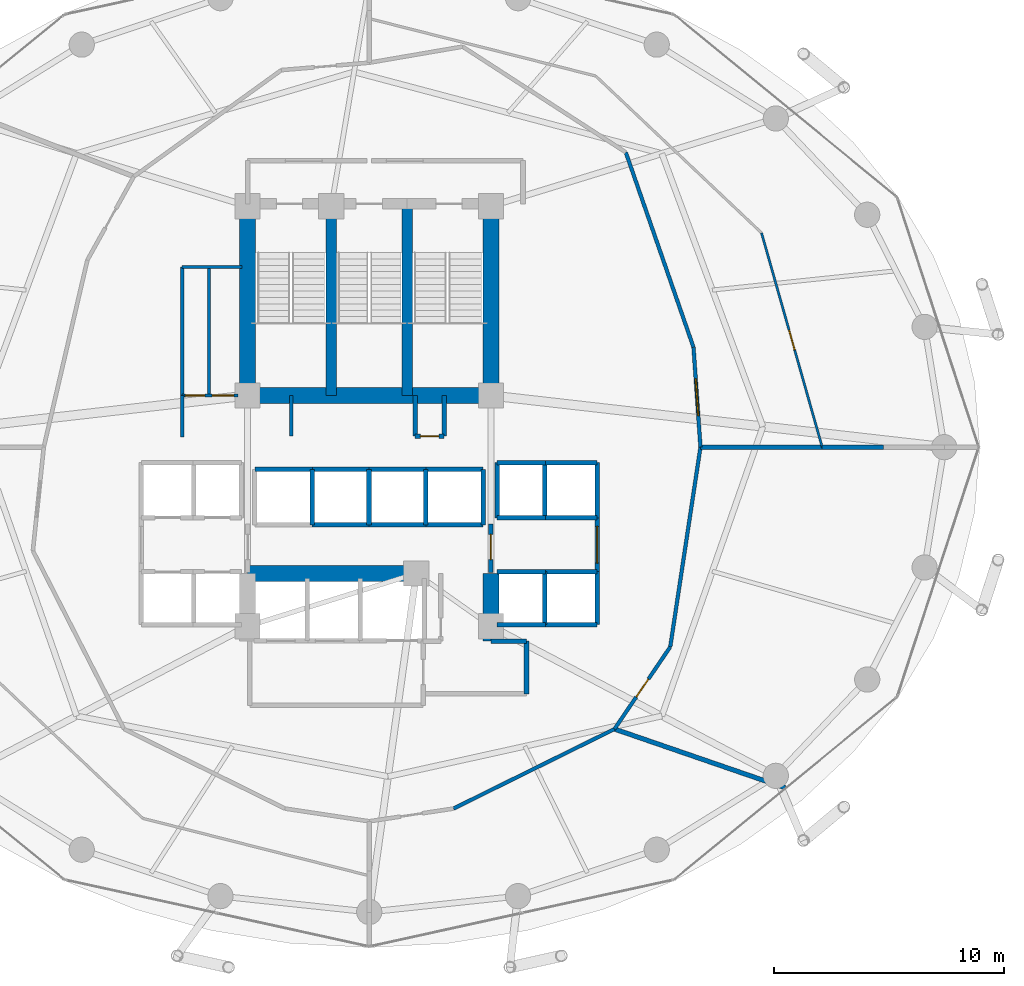
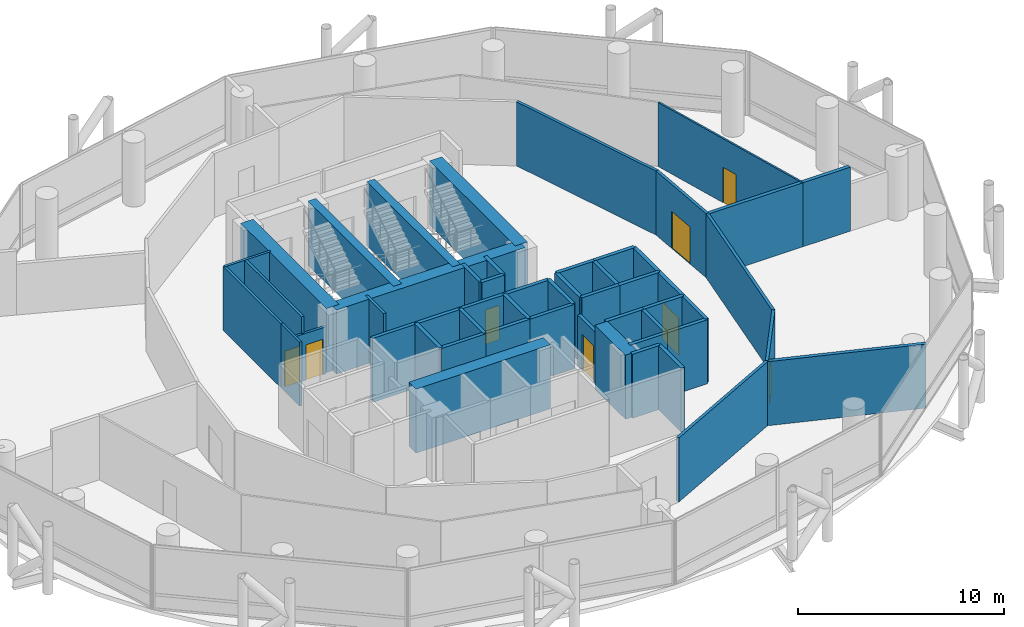
# One storey, part 22 of 24: 53 walls, 8 doors, 8 openings.
"""IFC4 building model written with IfcOpenShell, lengths in metres."""

from ifc_helpers import new_model, si_unit, direction, frame, frame_2d, origin, place, context, subcontext, project, spatial, rectangle, extrude, material, layer, layer_set, type_object, element, fill, save


model = new_model("IFC4")

# Units and contexts
model_context = context("Model", 3, precision=1e-05, world=origin(), true_north=direction((0.0, 1.0)))
body_context = subcontext(model_context, "Body", "Model", "MODEL_VIEW")
ifc_project = project(units=[si_unit("LENGTHUNIT", "METRE"), si_unit("AREAUNIT", "SQUARE_METRE"), si_unit("VOLUMEUNIT", "CUBIC_METRE"), si_unit("PLANEANGLEUNIT", "RADIAN"), si_unit("MASSUNIT", "GRAM", prefix="KILO")], contexts=[model_context])

# Site, building, storey
site_placement = place(None, origin())
site = spatial("IfcSite", under=ifc_project, at=site_placement, CompositionType="ELEMENT")
building_placement = place(site_placement, origin())
building = spatial("IfcBuilding", under=site, at=building_placement, Name="Nuhasar Tower", CompositionType="ELEMENT")
storey_placement = place(building_placement, frame((0.0, 0.0, 77.699951171875)))
storey = spatial("IfcBuildingStorey", under=building, at=storey_placement, Name="L18", CompositionType="ELEMENT", Elevation=77.699951171875)

# Walls
ifc_material_1 = material(Name="Concrete C50/60", Category="concrete")
ifc_layer_1 = layer(ifc_material_1, 0.449951171875)
ifc_layer_set_1 = layer_set([ifc_layer_1], Name="Concrete C50/60")
wall_type_1 = type_object("IfcWallType", Name="WL-CORE-450", PredefinedType="SHEAR", material=ifc_layer_set_1)
for number, where, z_axis, x_axis, name in (
    (1, (37.35009765625, 29.050048828125, 0.0), (0.0, 0.0, 1.0), (0.0, 1.0, 0.0), "L18 Stairwell Shear Wall ST01-E"),
    (2, (40.64990234375, 29.050048828125, 0.0), (0.0, 0.0, 1.0), (0.0, 1.0, 0.0), "L18 Stairwell Shear Wall ST03-E"),
):
    element("IfcWall", number, at=place(storey_placement, frame(where, z_axis=z_axis, x_axis=x_axis)), inside=storey, type_object=wall_type_1, Name=name, PredefinedType="SHEAR", context=body_context, shape_type="SweptSolid", body=[
        extrude(rectangle(XDim=8.349853515625, YDim=0.449951171875, at=frame_2d((4.1748046875, 0.0))), origin(), (0.0, 0.0, 1.0), 3.800048828125),
    ])
ifc_material_2 = material(Name="Concrete C65/80", Category="concrete")
ifc_layer_2 = layer(ifc_material_2, 0.699951171875)
ifc_layer_set_2 = layer_set([ifc_layer_2], Name="Concrete C65/80")
wall_type_2 = type_object("IfcWallType", Name="WL-CORE-700", PredefinedType="SHEAR", material=ifc_layer_set_2)
for number, where, z_axis, x_axis, name in (
    (3, (33.699951171875, 29.050048828125, 0.0), (0.0, 0.0, 1.0), (0.0, 1.0, 0.0), "L18 Core Shear Wall CW-NW CW-700"),
    (4, (44.300048828125, 29.050048828125, 0.0), (0.0, 0.0, 1.0), (0.0, 1.0, 0.0), "L18 Core Shear Wall CW-NE CW-700"),
):
    element("IfcWall", number, at=place(storey_placement, frame(where, z_axis=z_axis, x_axis=x_axis)), inside=storey, type_object=wall_type_2, Name=name, PredefinedType="SHEAR", context=body_context, shape_type="SweptSolid", body=[
        extrude(rectangle(XDim=8.349853515625, YDim=0.699951171875, at=frame_2d((4.1748046875, 0.0))), origin(), (0.0, 0.0, 1.0), 3.800048828125),
    ])
wall_1_placement = place(storey_placement, frame((44.300048828125, 18.35009765625, 0.0), z_axis=(0.0, 0.0, 1.0), x_axis=(0.0, 1.0, 0.0)))
element("IfcWall", 5, at=wall_1_placement, inside=storey, type_object=wall_type_2, Name="L18 Core Shear Wall CW-SE CW-700", PredefinedType="SHEAR", context=body_context, shape_type="SweptSolid", body=[
    extrude(rectangle(XDim=2.949951171875, YDim=0.699951171875, at=frame_2d((1.47509765625, 0.0))), origin(), (0.0, 0.0, 1.0), 3.800048828125),
])
wall_2_placement = place(storey_placement, frame((33.699951171875, 29.050048828125, 0.0), z_axis=(0.0, 0.0, 1.0), x_axis=(1.0, 0.0, 0.0)))
element("IfcWall", 6, at=wall_2_placement, inside=storey, type_object=wall_type_2, Name="L18 Core Shear Wall CW-N1 CW-700", PredefinedType="SHEAR", context=body_context, shape_type="SweptSolid", body=[
    extrude(rectangle(XDim=10.60009765625, YDim=0.699951171875, at=frame_2d((5.300048828125, 0.0))), origin(), (0.0, 0.0, 1.0), 3.800048828125),
])
wall_3_placement = place(storey_placement, frame((33.699951171875, 21.300048828125, 0.0), z_axis=(0.0, 0.0, 1.0), x_axis=(1.0, 0.0, 0.0)))
element("IfcWall", 7, at=wall_3_placement, inside=storey, type_object=wall_type_2, Name="L18 Core Shear Wall CW-S1 CW-700", PredefinedType="SHEAR", context=body_context, shape_type="SweptSolid", body=[
    extrude(rectangle(XDim=7.550048828125, YDim=0.699951171875, at=frame_2d((3.77490234375, 0.0))), origin(), (0.0, 0.0, 1.0), 3.800048828125),
])

# Wall, opening, door
ifc_material_3 = material(Name="Gypsum Board", Category="gypsum")
ifc_layer_3 = layer(ifc_material_3, 0.159912109375)
ifc_layer_set_3 = layer_set([ifc_layer_3], Name="Gypsum Board")
wall_type_3 = type_object("IfcWallType", Name="WL-CORR-160", PredefinedType="PARTITIONING", material=ifc_layer_set_3)
wall_4_placement = place(storey_placement, frame((53.126953125, 31.15087890625, 0.0), z_axis=(0.0, 0.0, 1.0), x_axis=(0.06946871143, -0.997584130854, 0.0)))
wall_4 = element("IfcWall", 8, at=wall_4_placement, inside=storey, type_object=wall_type_3, Name="L18 Interior Partition CORR-00", PredefinedType="PARTITIONING", context=body_context, shape_type="SweptSolid", body=[
    extrude(rectangle(XDim=4.361328125, YDim=0.159912109375, at=frame_2d((2.1806640625, 0.0))), origin(), (0.0, 0.0, 1.0), 3.800048828125),
])
opening_1_placement = place(wall_4_placement, frame((1.381103515625, 0.0, 0.0)))
opening_1 = element("IfcOpeningElement", 9, at=opening_1_placement, cuts=wall_4, Name="Opening DC-01", PredefinedType="OPENING", context=body_context, shape_type="SweptSolid", body=[
    extrude(rectangle(XDim=1.60009765625, YDim=2.199951171875, at=frame_2d((0.800048828125, 1.10009765625))), frame((0.0, 0.08984375, 0.0), z_axis=(0.0, -1.0, 0.0), x_axis=(1.0, 0.0, 0.0)), (0.0, 0.0, 1.0), 0.179931640625),
])
ifc_material_4 = material(Name="Steel S355", Category="steel")
door_type_1 = type_object("IfcDoorType", Name="DR-CORR-FD60-1600", OperationType="DOUBLE_DOOR_SINGLE_SWING", PredefinedType="DOOR", material=ifc_material_4)
door_1_placement = place(opening_1_placement, origin())
door_1 = element("IfcDoor", 10, at=door_1_placement, inside=storey, type_object=door_type_1, Name="L18 East Industrial Design Studio Entry Door", OperationType="DOUBLE_DOOR_SINGLE_SWING", OverallHeight=2.199951171875, OverallWidth=1.60009765625, PredefinedType="DOOR", context=body_context, shape_type="SweptSolid", body=[
    extrude(rectangle(XDim=1.60009765625, YDim=2.199951171875, at=frame_2d((0.800048828125, 1.10009765625))), frame((0.0, 0.02490234375, 0.0), z_axis=(0.0, -1.0, 0.0), x_axis=(1.0, 0.0, 0.0)), (0.0, 0.0, 1.0), 0.050048828125),
])
fill(opening_1, door_1)

# Walls
wall_5_placement = place(storey_placement, frame((53.126953125, 31.15087890625, 0.0), z_axis=(0.0, 0.0, 1.0), x_axis=(-0.328134166286, 0.944631128492, 0.0)))
element("IfcWall", 11, at=wall_5_placement, inside=storey, type_object=wall_type_3, Name="L18 Interior Partition CORR-02", PredefinedType="PARTITIONING", context=body_context, shape_type="SweptSolid", body=[
    extrude(rectangle(XDim=8.9931640625, YDim=0.159912109375, at=frame_2d((4.49658203125, 0.0))), origin(), (0.0, 0.0, 1.0), 3.800048828125),
])
wall_6_placement = place(storey_placement, frame((42.669921875, 11.054931640625, 0.0), z_axis=(0.0, 0.0, 1.0), x_axis=(0.896539401739, 0.442963995296, 0.0)))
element("IfcWall", 12, at=wall_6_placement, inside=storey, type_object=wall_type_3, Name="L18 Interior Partition CORR-38", PredefinedType="PARTITIONING", context=body_context, shape_type="SweptSolid", body=[
    extrude(rectangle(XDim=7.822509765625, YDim=0.159912109375, at=frame_2d((3.9111328125, 0.0))), origin(), (0.0, 0.0, 1.0), 3.800048828125),
])

# Wall, opening, door
wall_7_placement = place(storey_placement, frame((52.113037109375, 18.096923828125, 0.0), z_axis=(0.0, 0.0, 1.0), x_axis=(-0.561936247527, -0.827180544812, 0.0)))
wall_7 = element("IfcWall", 13, at=wall_7_placement, inside=storey, type_object=wall_type_3, Name="L18 Interior Partition CORR-42", PredefinedType="PARTITIONING", context=body_context, shape_type="SweptSolid", body=[
    extrude(rectangle(XDim=4.32421875, YDim=0.159912109375, at=frame_2d((2.162109375, 0.0))), origin(), (0.0, 0.0, 1.0), 3.800048828125),
])
opening_2_placement = place(wall_7_placement, frame((1.68701171875, 0.0, 0.0)))
opening_2 = element("IfcOpeningElement", 14, at=opening_2_placement, cuts=wall_7, Name="Opening DO-01", PredefinedType="OPENING", context=body_context, shape_type="SweptSolid", body=[
    extrude(rectangle(XDim=0.949951171875, YDim=2.14990234375, at=frame_2d((0.47509765625, 1.074951171875))), frame((0.0, 0.08984375, 0.0), z_axis=(0.0, -1.0, 0.0), x_axis=(1.0, 0.0, 0.0)), (0.0, 0.0, 1.0), 0.179931640625),
])
ifc_material_5 = material(Name="Timber Oak", Category="wood")
door_type_2 = type_object("IfcDoorType", Name="DR-OFFICE-FD30-950", OperationType="NOTDEFINED", PredefinedType="DOOR", material=ifc_material_5)
door_2_placement = place(opening_2_placement, origin())
door_2 = element("IfcDoor", 15, at=door_2_placement, inside=storey, type_object=door_type_2, Name="L18 Prototype Material Store Entry Door", OperationType="SINGLE_SWING_LEFT", OverallHeight=2.14990234375, OverallWidth=0.949951171875, PredefinedType="DOOR", context=body_context, shape_type="SweptSolid", body=[
    extrude(rectangle(XDim=0.949951171875, YDim=2.14990234375, at=frame_2d((0.47509765625, 1.074951171875))), frame((0.0, 0.02490234375, 0.0), z_axis=(0.0, -1.0, 0.0), x_axis=(1.0, 0.0, 0.0)), (0.0, 0.0, 1.0), 0.050048828125),
])
fill(opening_2, door_2)

# Wall
wall_8_placement = place(storey_placement, frame((52.113037109375, 18.096923828125, 0.0), z_axis=(0.0, 0.0, 1.0), x_axis=(0.149609827819, 0.988745113475, 0.0)))
element("IfcWall", 16, at=wall_8_placement, inside=storey, type_object=wall_type_3, Name="L18 Interior Partition CORR-44", PredefinedType="PARTITIONING", context=body_context, shape_type="SweptSolid", body=[
    extrude(rectangle(XDim=8.80224609375, YDim=0.159912109375, at=frame_2d((4.401123046875, 0.0))), origin(), (0.0, 0.0, 1.0), 3.800048828125),
])

# Wall, opening, door
ifc_material_6 = material(Name="Concrete C45/55", Category="concrete")
ifc_layer_4 = layer(ifc_material_6, 0.199951171875)
ifc_layer_set_4 = layer_set([ifc_layer_4], Name="Concrete C45/55")
wall_type_4 = type_object("IfcWallType", Name="WL-LOBBY-200", PredefinedType="SOLIDWALL", material=ifc_layer_set_4)
wall_9_placement = place(storey_placement, frame((48.929931640625, 21.3798828125, 0.0), z_axis=(0.0, 0.0, 1.0), x_axis=(0.0, 1.0, 0.0)))
wall_9 = element("IfcWall", 17, at=wall_9_placement, inside=storey, type_object=wall_type_4, Name="L18 Interior Partition LLBM-E", PredefinedType="SOLIDWALL", context=body_context, shape_type="SweptSolid", body=[
    extrude(rectangle(XDim=2.340087890625, YDim=0.199951171875, at=frame_2d((1.169921875, 0.0))), origin(), (0.0, 0.0, 1.0), 3.800048828125),
])
opening_3_placement = place(wall_9_placement, frame((0.3701171875, 0.0, 0.0)))
opening_3 = element("IfcOpeningElement", 18, at=opening_3_placement, cuts=wall_9, Name="Opening DC-01", PredefinedType="OPENING", context=body_context, shape_type="SweptSolid", body=[
    extrude(rectangle(XDim=1.60009765625, YDim=2.199951171875, at=frame_2d((0.800048828125, 1.10009765625))), frame((0.0, 0.10986328125, 0.0), z_axis=(0.0, -1.0, 0.0), x_axis=(1.0, 0.0, 0.0)), (0.0, 0.0, 1.0), 0.219970703125),
])
door_3_placement = place(opening_3_placement, origin())
door_3 = element("IfcDoor", 19, at=door_3_placement, inside=storey, type_object=door_type_1, Name="L18 Mid-Rise Lift Lobby East Entry", OperationType="DOUBLE_DOOR_SINGLE_SWING", OverallHeight=2.199951171875, OverallWidth=1.60009765625, PredefinedType="DOOR", context=body_context, shape_type="SweptSolid", body=[
    extrude(rectangle(XDim=1.60009765625, YDim=2.199951171875, at=frame_2d((0.800048828125, 1.10009765625))), frame((0.0, 0.02490234375, 0.0), z_axis=(0.0, -1.0, 0.0), x_axis=(1.0, 0.0, 0.0)), (0.0, 0.0, 1.0), 0.050048828125),
])
fill(opening_3, door_3)

wall_10_placement = place(storey_placement, frame((44.300048828125, 21.35009765625, 0.0), z_axis=(0.0, 0.0, 1.0), x_axis=(0.0, 1.0, 0.0)))
wall_10 = element("IfcWall", 20, at=wall_10_placement, inside=storey, type_object=wall_type_4, Name="L18 Interior Partition LLBH-E", PredefinedType="SOLIDWALL", context=body_context, shape_type="SweptSolid", body=[
    extrude(rectangle(XDim=2.099853515625, YDim=0.199951171875, at=frame_2d((1.0498046875, 0.0))), origin(), (0.0, 0.0, 1.0), 3.02001953125),
])
opening_4_placement = place(wall_10_placement, frame((0.550048828125, 0.0, 0.0)))
opening_4 = element("IfcOpeningElement", 21, at=opening_4_placement, cuts=wall_10, Name="Opening DS-02", PredefinedType="OPENING", context=body_context, shape_type="SweptSolid", body=[
    extrude(rectangle(XDim=1.10009765625, YDim=2.14990234375, at=frame_2d((0.550048828125, 1.074951171875))), frame((0.0, 0.10986328125, 0.0), z_axis=(0.0, -1.0, 0.0), x_axis=(1.0, 0.0, 0.0)), (0.0, 0.0, 1.0), 0.219970703125),
])
door_type_3 = type_object("IfcDoorType", Name="DR-FFL-FD120-1100", OperationType="NOTDEFINED", PredefinedType="DOOR", material=ifc_material_4)
door_4_placement = place(opening_4_placement, origin())
door_4 = element("IfcDoor", 22, at=door_4_placement, inside=storey, type_object=door_type_3, Name="L18 High-Rise Lobby East Door", OperationType="SINGLE_SWING_RIGHT", OverallHeight=2.14990234375, OverallWidth=1.10009765625, PredefinedType="DOOR", context=body_context, shape_type="SweptSolid", body=[
    extrude(rectangle(XDim=1.10009765625, YDim=2.14990234375, at=frame_2d((0.550048828125, 1.074951171875))), frame((0.0, 0.02490234375, 0.0), z_axis=(0.0, -1.0, 0.0), x_axis=(1.0, 0.0, 0.0)), (0.0, 0.0, 1.0), 0.050048828125),
])
fill(opening_4, door_4)

# Walls
wall_11_placement = place(storey_placement, frame((45.85009765625, 16.050048828125, 0.0), z_axis=(0.0, 0.0, 1.0), x_axis=(0.0, 1.0, 0.0)))
element("IfcWall", 23, at=wall_11_placement, inside=storey, type_object=wall_type_4, Name="L18 Interior Partition SVLV-E", PredefinedType="SOLIDWALL", context=body_context, shape_type="SweptSolid", body=[
    extrude(rectangle(XDim=2.300048828125, YDim=0.199951171875, at=frame_2d((1.14990234375, 0.0))), origin(), (0.0, 0.0, 1.0), 3.800048828125),
])
wall_12_placement = place(storey_placement, frame((44.300048828125, 18.35009765625, 0.0), z_axis=(0.0, 0.0, 1.0), x_axis=(1.0, 0.0, 0.0)))
element("IfcWall", 24, at=wall_12_placement, inside=storey, type_object=wall_type_4, Name="L18 Interior Partition SVLV-N", PredefinedType="SOLIDWALL", context=body_context, shape_type="SweptSolid", body=[
    extrude(rectangle(XDim=1.550048828125, YDim=0.199951171875, at=frame_2d((0.77490234375, 0.0))), origin(), (0.0, 0.0, 1.0), 3.800048828125),
])

# Wall, opening, door
ifc_material_7 = material(Name="Aluminium 6063-T6", Category="aluminium")
ifc_layer_5 = layer(ifc_material_7, 0.10009765625)
ifc_layer_set_5 = layer_set([ifc_layer_5], Name="Aluminium 6063-T6")
wall_type_5 = type_object("IfcWallType", Name="WL-MOVABLE-100", PredefinedType="MOVABLE", material=ifc_layer_set_5)
wall_13_placement = place(storey_placement, frame((56.090087890625, 36.135986328125, 0.0), z_axis=(0.0, 0.0, 1.0), x_axis=(0.27247058522, -0.962164112919, 0.0)))
wall_13 = element("IfcWall", 25, at=wall_13_placement, inside=storey, type_object=wall_type_5, Name="L18 Interior Partition OMID-01-00", PredefinedType="MOVABLE", context=body_context, shape_type="SweptSolid", body=[
    extrude(rectangle(XDim=9.703125, YDim=0.10009765625, at=frame_2d((4.8515625, 0.0))), origin(), (0.0, 0.0, 1.0), 3.800048828125),
])
opening_5_placement = place(wall_13_placement, frame((4.402099609375, 0.0, 0.0)))
opening_5 = element("IfcOpeningElement", 26, at=opening_5_placement, cuts=wall_13, Name="Opening DR-01", PredefinedType="OPENING", context=body_context, shape_type="SweptSolid", body=[
    extrude(rectangle(XDim=0.89990234375, YDim=2.10009765625, at=frame_2d((0.449951171875, 1.050048828125))), frame((0.0, 0.06005859375, 0.0), z_axis=(0.0, -1.0, 0.0), x_axis=(1.0, 0.0, 0.0)), (0.0, 0.0, 1.0), 0.1201171875),
])
door_type_4 = type_object("IfcDoorType", Name="DR-ROOM-900", OperationType="NOTDEFINED", PredefinedType="DOOR", material=ifc_material_5)
door_5_placement = place(opening_5_placement, origin())
door_5 = element("IfcDoor", 27, at=door_5_placement, inside=storey, type_object=door_type_4, Name="L18 East Industrial Design Studio Inner Door", OperationType="SINGLE_SWING_LEFT", OverallHeight=2.10009765625, OverallWidth=0.89990234375, PredefinedType="DOOR", context=body_context, shape_type="SweptSolid", body=[
    extrude(rectangle(XDim=0.89990234375, YDim=2.10009765625, at=frame_2d((0.449951171875, 1.050048828125))), frame((0.0, 0.02490234375, 0.0), z_axis=(0.0, -1.0, 0.0), x_axis=(1.0, 0.0, 0.0)), (0.0, 0.0, 1.0), 0.050048828125),
])
fill(opening_5, door_5)

# Walls
ifc_layer_6 = layer(ifc_material_6, 0.199951171875)
ifc_layer_set_6 = layer_set([ifc_layer_6], Name="Concrete C45/55")
wall_type_6 = type_object("IfcWallType", Name="WL-SHAFT-200", PredefinedType="SOLIDWALL", material=ifc_layer_set_6)
for number, where, z_axis, x_axis, name in (
    (28, (41.0, 27.280029296875, 0.0), (0.0, 0.0, 1.0), (0.0, 1.0, 0.0), "L18 Interior Partition RSRN-W"),
    (29, (42.260009765625, 27.280029296875, 0.0), (0.0, 0.0, 1.0), (0.0, 1.0, 0.0), "L18 Interior Partition RSRN-E"),
):
    element("IfcWall", number, at=place(storey_placement, frame(where, z_axis=z_axis, x_axis=x_axis)), inside=storey, type_object=wall_type_6, Name=name, PredefinedType="SOLIDWALL", context=body_context, shape_type="SweptSolid", body=[
        extrude(rectangle(XDim=1.77001953125, YDim=0.199951171875, at=frame_2d((0.885009765625, 0.0))), origin(), (0.0, 0.0, 1.0), 3.800048828125),
    ])

# Wall, opening, door
wall_14_placement = place(storey_placement, frame((41.0, 27.280029296875, 0.0), z_axis=(0.0, 0.0, 1.0), x_axis=(1.0, 0.0, 0.0)))
wall_14 = element("IfcWall", 30, at=wall_14_placement, inside=storey, type_object=wall_type_6, Name="L18 Interior Partition RSRN-S", PredefinedType="SOLIDWALL", context=body_context, shape_type="SweptSolid", body=[
    extrude(rectangle(XDim=1.260009765625, YDim=0.199951171875, at=frame_2d((0.6298828125, 0.0))), origin(), (0.0, 0.0, 1.0), 3.800048828125),
])
opening_6_placement = place(wall_14_placement, frame((0.22998046875, 0.0, 0.0)))
opening_6 = element("IfcOpeningElement", 31, at=opening_6_placement, cuts=wall_14, Name="Opening DM-01", PredefinedType="OPENING", context=body_context, shape_type="SweptSolid", body=[
    extrude(rectangle(XDim=0.800048828125, YDim=2.050048828125, at=frame_2d((0.39990234375, 1.02490234375))), frame((0.0, 0.10986328125, 0.0), z_axis=(0.0, -1.0, 0.0), x_axis=(1.0, 0.0, 0.0)), (0.0, 0.0, 1.0), 0.219970703125),
])
door_type_5 = type_object("IfcDoorType", Name="DR-RISER-FD60-800", OperationType="NOTDEFINED", PredefinedType="DOOR", material=ifc_material_4)
door_6_placement = place(opening_6_placement, origin())
door_6 = element("IfcDoor", 32, at=door_6_placement, inside=storey, type_object=door_type_5, Name="L18 North Smoke Riser Door", OperationType="SINGLE_SWING_RIGHT", OverallHeight=2.050048828125, OverallWidth=0.800048828125, PredefinedType="DOOR", context=body_context, shape_type="SweptSolid", body=[
    extrude(rectangle(XDim=0.800048828125, YDim=2.050048828125, at=frame_2d((0.39990234375, 1.02490234375))), frame((0.0, 0.02490234375, 0.0), z_axis=(0.0, -1.0, 0.0), x_axis=(1.0, 0.0, 0.0)), (0.0, 0.0, 1.0), 0.050048828125),
])
fill(opening_6, door_6)

# Walls
for number, where, z_axis, x_axis, name in (
    (33, (44.570068359375, 23.719970703125, 0.0), (0.0, 0.0, 1.0), (1.0, 0.0, 0.0), "L18 Interior Partition SHF-PL-M01-S"),
    (34, (44.570068359375, 26.1298828125, 0.0), (0.0, 0.0, 1.0), (1.0, 0.0, 0.0), "L18 Interior Partition SHF-PL-M01-N"),
):
    element("IfcWall", number, at=place(storey_placement, frame(where, z_axis=z_axis, x_axis=x_axis)), inside=storey, type_object=wall_type_6, Name=name, PredefinedType="SOLIDWALL", context=body_context, shape_type="SweptSolid", body=[
        extrude(rectangle(XDim=2.10986328125, YDim=0.199951171875, at=frame_2d((1.054931640625, 0.0))), origin(), (0.0, 0.0, 1.0), 3.800048828125),
    ])
for number, where, z_axis, x_axis, name in (
    (35, (44.570068359375, 23.719970703125, 0.0), (0.0, 0.0, 1.0), (0.0, 1.0, 0.0), "L18 Interior Partition SHF-PL-M01-W"),
    (36, (46.64990234375, 23.719970703125, 0.0), (0.0, 0.0, 1.0), (0.0, 1.0, 0.0), "L18 Interior Partition SHF-PL-M01-E"),
):
    element("IfcWall", number, at=place(storey_placement, frame(where, z_axis=z_axis, x_axis=x_axis)), inside=storey, type_object=wall_type_6, Name=name, PredefinedType="SOLIDWALL", context=body_context, shape_type="SweptSolid", body=[
        extrude(rectangle(XDim=2.409912109375, YDim=0.199951171875, at=frame_2d((1.205078125, 0.0))), origin(), (0.0, 0.0, 1.0), 3.800048828125),
    ])
for number, where, z_axis, x_axis, name in (
    (37, (46.6201171875, 23.719970703125, 0.0), (0.0, 0.0, 1.0), (1.0, 0.0, 0.0), "L18 Interior Partition SHF-PL-M02-S"),
    (38, (46.6201171875, 26.1298828125, 0.0), (0.0, 0.0, 1.0), (1.0, 0.0, 0.0), "L18 Interior Partition SHF-PL-M02-N"),
):
    element("IfcWall", number, at=place(storey_placement, frame(where, z_axis=z_axis, x_axis=x_axis)), inside=storey, type_object=wall_type_6, Name=name, PredefinedType="SOLIDWALL", context=body_context, shape_type="SweptSolid", body=[
        extrude(rectangle(XDim=2.309814453125, YDim=0.199951171875, at=frame_2d((1.15478515625, 0.0))), origin(), (0.0, 0.0, 1.0), 3.800048828125),
    ])
wall_15_placement = place(storey_placement, frame((48.929931640625, 23.719970703125, 0.0), z_axis=(0.0, 0.0, 1.0), x_axis=(0.0, 1.0, 0.0)))
element("IfcWall", 39, at=wall_15_placement, inside=storey, type_object=wall_type_6, Name="L18 Interior Partition SHF-PL-M02-E", PredefinedType="SOLIDWALL", context=body_context, shape_type="SweptSolid", body=[
    extrude(rectangle(XDim=2.409912109375, YDim=0.199951171875, at=frame_2d((1.205078125, 0.0))), origin(), (0.0, 0.0, 1.0), 3.800048828125),
])
for number, where, z_axis, x_axis, name in (
    (40, (44.570068359375, 19.070068359375, 0.0), (0.0, 0.0, 1.0), (1.0, 0.0, 0.0), "L18 Interior Partition SHF-PL-M03-S"),
    (41, (44.570068359375, 21.3798828125, 0.0), (0.0, 0.0, 1.0), (1.0, 0.0, 0.0), "L18 Interior Partition SHF-PL-M03-N"),
):
    element("IfcWall", number, at=place(storey_placement, frame(where, z_axis=z_axis, x_axis=x_axis)), inside=storey, type_object=wall_type_6, Name=name, PredefinedType="SOLIDWALL", context=body_context, shape_type="SweptSolid", body=[
        extrude(rectangle(XDim=2.10986328125, YDim=0.199951171875, at=frame_2d((1.054931640625, 0.0))), origin(), (0.0, 0.0, 1.0), 3.800048828125),
    ])
for number, where, z_axis, x_axis, name in (
    (42, (46.64990234375, 19.070068359375, 0.0), (0.0, 0.0, 1.0), (0.0, 1.0, 0.0), "L18 Interior Partition SHF-PL-M03-E"),
    (43, (46.6201171875, 19.070068359375, 0.0), (0.0, 0.0, 1.0), (1.0, 0.0, 0.0), "L18 Interior Partition SHF-PL-M04-S"),
    (44, (46.6201171875, 21.3798828125, 0.0), (0.0, 0.0, 1.0), (1.0, 0.0, 0.0), "L18 Interior Partition SHF-PL-M04-N"),
    (45, (48.929931640625, 19.070068359375, 0.0), (0.0, 0.0, 1.0), (0.0, 1.0, 0.0), "L18 Interior Partition SHF-PL-M04-E"),
):
    element("IfcWall", number, at=place(storey_placement, frame(where, z_axis=z_axis, x_axis=x_axis)), inside=storey, type_object=wall_type_6, Name=name, PredefinedType="SOLIDWALL", context=body_context, shape_type="SweptSolid", body=[
        extrude(rectangle(XDim=2.309814453125, YDim=0.199951171875, at=frame_2d((1.15478515625, 0.0))), origin(), (0.0, 0.0, 1.0), 3.800048828125),
    ])
wall_16_placement = place(storey_placement, frame((34.02001953125, 25.830078125, 0.0), z_axis=(0.0, 0.0, 1.0), x_axis=(1.0, 0.0, 0.0)))
element("IfcWall", 46, at=wall_16_placement, inside=storey, type_object=wall_type_6, Name="L18 Interior Partition SHF-PL-H01-N", PredefinedType="SOLIDWALL", context=body_context, shape_type="SweptSolid", body=[
    extrude(rectangle(XDim=2.5, YDim=0.199951171875, at=frame_2d((1.25, 0.0))), origin(), (0.0, 0.0, 1.0), 3.800048828125),
])
wall_17_placement = place(storey_placement, frame((36.510009765625, 23.419921875, 0.0), z_axis=(0.0, 0.0, 1.0), x_axis=(0.0, 1.0, 0.0)))
element("IfcWall", 47, at=wall_17_placement, inside=storey, type_object=wall_type_6, Name="L18 Interior Partition SHF-PL-H01-E", PredefinedType="SOLIDWALL", context=body_context, shape_type="SweptSolid", body=[
    extrude(rectangle(XDim=2.41015625, YDim=0.199951171875, at=frame_2d((1.205078125, 0.0))), origin(), (0.0, 0.0, 1.0), 3.800048828125),
])
for number, where, z_axis, x_axis, name in (
    (48, (36.5, 23.419921875, 0.0), (0.0, 0.0, 1.0), (1.0, 0.0, 0.0), "L18 Interior Partition SHF-PL-H02-S"),
    (49, (36.5, 25.830078125, 0.0), (0.0, 0.0, 1.0), (1.0, 0.0, 0.0), "L18 Interior Partition SHF-PL-H02-N"),
):
    element("IfcWall", number, at=place(storey_placement, frame(where, z_axis=z_axis, x_axis=x_axis)), inside=storey, type_object=wall_type_6, Name=name, PredefinedType="SOLIDWALL", context=body_context, shape_type="SweptSolid", body=[
        extrude(rectangle(XDim=2.5, YDim=0.199951171875, at=frame_2d((1.25, 0.0))), origin(), (0.0, 0.0, 1.0), 3.800048828125),
    ])
wall_18_placement = place(storey_placement, frame((38.989990234375, 23.419921875, 0.0), z_axis=(0.0, 0.0, 1.0), x_axis=(0.0, 1.0, 0.0)))
element("IfcWall", 50, at=wall_18_placement, inside=storey, type_object=wall_type_6, Name="L18 Interior Partition SHF-PL-H02-E", PredefinedType="SOLIDWALL", context=body_context, shape_type="SweptSolid", body=[
    extrude(rectangle(XDim=2.41015625, YDim=0.199951171875, at=frame_2d((1.205078125, 0.0))), origin(), (0.0, 0.0, 1.0), 3.800048828125),
])
for number, where, z_axis, x_axis, name in (
    (51, (38.97998046875, 23.419921875, 0.0), (0.0, 0.0, 1.0), (1.0, 0.0, 0.0), "L18 Interior Partition SHF-PL-H03-S"),
    (52, (38.97998046875, 25.830078125, 0.0), (0.0, 0.0, 1.0), (1.0, 0.0, 0.0), "L18 Interior Partition SHF-PL-H03-N"),
):
    element("IfcWall", number, at=place(storey_placement, frame(where, z_axis=z_axis, x_axis=x_axis)), inside=storey, type_object=wall_type_6, Name=name, PredefinedType="SOLIDWALL", context=body_context, shape_type="SweptSolid", body=[
        extrude(rectangle(XDim=2.5, YDim=0.199951171875, at=frame_2d((1.25, 0.0))), origin(), (0.0, 0.0, 1.0), 3.800048828125),
    ])
wall_19_placement = place(storey_placement, frame((41.469970703125, 23.419921875, 0.0), z_axis=(0.0, 0.0, 1.0), x_axis=(0.0, 1.0, 0.0)))
element("IfcWall", 53, at=wall_19_placement, inside=storey, type_object=wall_type_6, Name="L18 Interior Partition SHF-PL-H03-E", PredefinedType="SOLIDWALL", context=body_context, shape_type="SweptSolid", body=[
    extrude(rectangle(XDim=2.41015625, YDim=0.199951171875, at=frame_2d((1.205078125, 0.0))), origin(), (0.0, 0.0, 1.0), 3.800048828125),
])
for number, where, z_axis, x_axis, name in (
    (54, (41.4599609375, 23.419921875, 0.0), (0.0, 0.0, 1.0), (1.0, 0.0, 0.0), "L18 Interior Partition SHF-PL-H04-S"),
    (55, (41.4599609375, 25.830078125, 0.0), (0.0, 0.0, 1.0), (1.0, 0.0, 0.0), "L18 Interior Partition SHF-PL-H04-N"),
):
    element("IfcWall", number, at=place(storey_placement, frame(where, z_axis=z_axis, x_axis=x_axis)), inside=storey, type_object=wall_type_6, Name=name, PredefinedType="SOLIDWALL", context=body_context, shape_type="SweptSolid", body=[
        extrude(rectangle(XDim=2.5, YDim=0.199951171875, at=frame_2d((1.25, 0.0))), origin(), (0.0, 0.0, 1.0), 3.800048828125),
    ])
wall_20_placement = place(storey_placement, frame((43.9599609375, 23.419921875, 0.0), z_axis=(0.0, 0.0, 1.0), x_axis=(0.0, 1.0, 0.0)))
element("IfcWall", 56, at=wall_20_placement, inside=storey, type_object=wall_type_6, Name="L18 Interior Partition SHF-PL-H04-E", PredefinedType="SOLIDWALL", context=body_context, shape_type="SweptSolid", body=[
    extrude(rectangle(XDim=2.41015625, YDim=0.199951171875, at=frame_2d((1.205078125, 0.0))), origin(), (0.0, 0.0, 1.0), 3.800048828125),
])
ifc_material_8 = material(Name="Concrete C40/50 precast", Category="concrete")
ifc_layer_7 = layer(ifc_material_8, 0.199951171875)
ifc_layer_set_7 = layer_set([ifc_layer_7], Name="Concrete C40/50 precast")
wall_type_7 = type_object("IfcWallType", Name="WL-UNIT-200", PredefinedType="PARTITIONING", material=ifc_layer_set_7)
wall_21_placement = place(storey_placement, frame((53.429931640625, 26.800048828125, 0.0), z_axis=(0.0, 0.0, 1.0), x_axis=(1.0, 0.0, 0.0)))
element("IfcWall", 57, at=wall_21_placement, inside=storey, type_object=wall_type_7, Name="L18 Interior Partition ORAD-00-S1", PredefinedType="PARTITIONING", context=body_context, shape_type="SweptSolid", body=[
    extrude(rectangle(XDim=5.303955078125, YDim=0.199951171875, at=frame_2d((2.65185546875, 0.0))), origin(), (0.0, 0.0, 1.0), 3.800048828125),
])
wall_22_placement = place(storey_placement, frame((58.73388671875, 26.800048828125, 0.0), z_axis=(0.0, 0.0, 1.0), x_axis=(1.0, 0.0, 0.0)))
element("IfcWall", 58, at=wall_22_placement, inside=storey, type_object=wall_type_7, Name="L18 Interior Partition ORAD-00-S2", PredefinedType="PARTITIONING", context=body_context, shape_type="SweptSolid", body=[
    extrude(rectangle(XDim=2.6669921875, YDim=0.199951171875, at=frame_2d((1.33349609375, 0.0))), origin(), (0.0, 0.0, 1.0), 3.800048828125),
])
wall_23_placement = place(storey_placement, frame((49.68310546875, 14.52001953125, 0.0), z_axis=(0.0, 0.0, 1.0), x_axis=(0.945541816257, -0.325500650859, 0.0)))
element("IfcWall", 59, at=wall_23_placement, inside=storey, type_object=wall_type_7, Name="L18 Interior Partition ORAD-42", PredefinedType="PARTITIONING", context=body_context, shape_type="SweptSolid", body=[
    extrude(rectangle(XDim=7.862060546875, YDim=0.199951171875, at=frame_2d((3.93115234375, 0.0))), origin(), (0.0, 0.0, 1.0), 3.800048828125),
])
ifc_layer_8 = layer(ifc_material_8, 0.139892578125)
ifc_layer_set_8 = layer_set([ifc_layer_8], Name="Concrete C40/50 precast")
wall_type_8 = type_object("IfcWallType", Name="WL-WET-140", PredefinedType="PARTITIONING", material=ifc_layer_set_8)
wall_24_placement = place(storey_placement, frame((35.60009765625, 27.280029296875, 0.0), z_axis=(0.0, 0.0, 1.0), x_axis=(0.0, 1.0, 0.0)))
element("IfcWall", 60, at=wall_24_placement, inside=storey, type_object=wall_type_8, Name="L18 Interior Partition CSVC-W", PredefinedType="PARTITIONING", context=body_context, shape_type="SweptSolid", body=[
    extrude(rectangle(XDim=1.77001953125, YDim=0.139892578125, at=frame_2d((0.885009765625, 0.0))), origin(), (0.0, 0.0, 1.0), 3.800048828125),
])
wall_25_placement = place(storey_placement, frame((30.85009765625, 27.239990234375, 0.0), z_axis=(0.0, 0.0, 1.0), x_axis=(0.0, 1.0, 0.0)))
element("IfcWall", 61, at=wall_25_placement, inside=storey, type_object=wall_type_8, Name="L18 Interior Partition K2-FOY-W", PredefinedType="PARTITIONING", context=body_context, shape_type="SweptSolid", body=[
    extrude(rectangle(XDim=1.81005859375, YDim=0.139892578125, at=frame_2d((0.905029296875, 0.0))), origin(), (0.0, 0.0, 1.0), 3.800048828125),
])

# Wall, openings, doors
wall_26_placement = place(storey_placement, frame((30.85009765625, 29.050048828125, 0.0), z_axis=(0.0, 0.0, 1.0), x_axis=(1.0, 0.0, 0.0)))
wall_26 = element("IfcWall", 62, at=wall_26_placement, inside=storey, type_object=wall_type_8, Name="L18 Interior Partition K2-NW-S", PredefinedType="PARTITIONING", context=body_context, shape_type="SweptSolid", body=[
    extrude(rectangle(XDim=2.429931640625, YDim=0.139892578125, at=frame_2d((1.21484375, 0.0))), origin(), (0.0, 0.0, 1.0), 2.7900390625),
])
opening_7_placement = place(wall_26_placement, frame((0.139892578125, 0.0, 0.0)))
opening_7 = element("IfcOpeningElement", 63, at=opening_7_placement, cuts=wall_26, Name="Opening DB-01", PredefinedType="OPENING", context=body_context, shape_type="SweptSolid", body=[
    extrude(rectangle(XDim=0.85009765625, YDim=2.10009765625, at=frame_2d((0.425048828125, 1.050048828125))), frame((0.0, 0.080078125, 0.0), z_axis=(0.0, -1.0, 0.0), x_axis=(1.0, 0.0, 0.0)), (0.0, 0.0, 1.0), 0.159912109375),
])
opening_8_placement = place(wall_26_placement, frame((1.300048828125, 0.0, 0.0)))
opening_8 = element("IfcOpeningElement", 64, at=opening_8_placement, cuts=wall_26, Name="Opening DA-01", PredefinedType="OPENING", context=body_context, shape_type="SweptSolid", body=[
    extrude(rectangle(XDim=0.949951171875, YDim=2.10009765625, at=frame_2d((0.47509765625, 1.050048828125))), frame((0.0, 0.080078125, 0.0), z_axis=(0.0, -1.0, 0.0), x_axis=(1.0, 0.0, 0.0)), (0.0, 0.0, 1.0), 0.159912109375),
])
door_type_6 = type_object("IfcDoorType", Name="DR-ACCWC-950", OperationType="NOTDEFINED", PredefinedType="DOOR", material=ifc_material_5)
door_7_placement = place(opening_8_placement, origin())
door_7 = element("IfcDoor", 65, at=door_7_placement, inside=storey, type_object=door_type_6, Name="L18 NW Accessible WC Door", OperationType="SINGLE_SWING_RIGHT", OverallHeight=2.10009765625, OverallWidth=0.949951171875, PredefinedType="DOOR", context=body_context, shape_type="SweptSolid", body=[
    extrude(rectangle(XDim=0.949951171875, YDim=2.10009765625, at=frame_2d((0.47509765625, 1.050048828125))), frame((0.0, 0.02490234375, 0.0), z_axis=(0.0, -1.0, 0.0), x_axis=(1.0, 0.0, 0.0)), (0.0, 0.0, 1.0), 0.050048828125),
])
fill(opening_8, door_7)
door_type_7 = type_object("IfcDoorType", Name="DR-BATH-850", OperationType="NOTDEFINED", PredefinedType="DOOR", material=ifc_material_5)
door_8_placement = place(opening_7_placement, origin())
door_8 = element("IfcDoor", 66, at=door_8_placement, inside=storey, type_object=door_type_7, Name="L18 NW Female WC Door", OperationType="SINGLE_SWING_LEFT", OverallHeight=2.10009765625, OverallWidth=0.85009765625, PredefinedType="DOOR", context=body_context, shape_type="SweptSolid", body=[
    extrude(rectangle(XDim=0.85009765625, YDim=2.10009765625, at=frame_2d((0.425048828125, 1.050048828125))), frame((0.0, 0.02490234375, 0.0), z_axis=(0.0, -1.0, 0.0), x_axis=(1.0, 0.0, 0.0)), (0.0, 0.0, 1.0), 0.050048828125),
])
fill(opening_7, door_8)

# Walls
wall_27_placement = place(storey_placement, frame((32.02001953125, 29.050048828125, 0.0), z_axis=(0.0, 0.0, 1.0), x_axis=(0.0, 1.0, 0.0)))
element("IfcWall", 67, at=wall_27_placement, inside=storey, type_object=wall_type_8, Name="L18 Interior Partition K2-NW-V", PredefinedType="PARTITIONING", context=body_context, shape_type="SweptSolid", body=[
    extrude(rectangle(XDim=5.599853515625, YDim=0.139892578125, at=frame_2d((2.7998046875, 0.0))), origin(), (0.0, 0.0, 1.0), 3.800048828125),
])
wall_28_placement = place(storey_placement, frame((30.85009765625, 34.64990234375, 0.0), z_axis=(0.0, 0.0, 1.0), x_axis=(1.0, 0.0, 0.0)))
element("IfcWall", 68, at=wall_28_placement, inside=storey, type_object=wall_type_8, Name="L18 Interior Partition K2-NW-N", PredefinedType="PARTITIONING", context=body_context, shape_type="SweptSolid", body=[
    extrude(rectangle(XDim=2.599853515625, YDim=0.139892578125, at=frame_2d((1.2998046875, 0.0))), origin(), (0.0, 0.0, 1.0), 3.800048828125),
])
wall_29_placement = place(storey_placement, frame((30.85009765625, 29.050048828125, 0.0), z_axis=(0.0, 0.0, 1.0), x_axis=(0.0, 1.0, 0.0)))
element("IfcWall", 69, at=wall_29_placement, inside=storey, type_object=wall_type_8, Name="L18 Interior Partition K2-NW-W", PredefinedType="PARTITIONING", context=body_context, shape_type="SweptSolid", body=[
    extrude(rectangle(XDim=5.599853515625, YDim=0.139892578125, at=frame_2d((2.7998046875, 0.0))), origin(), (0.0, 0.0, 1.0), 3.800048828125),
])

save(model, "model.ifc")
